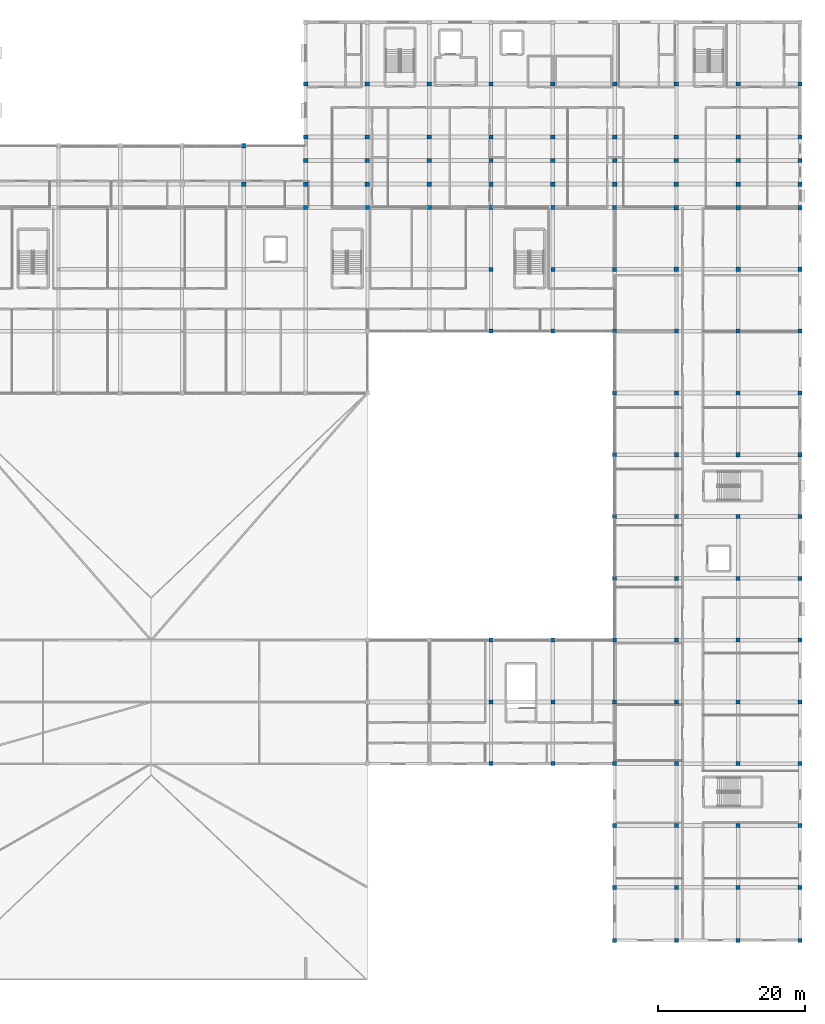
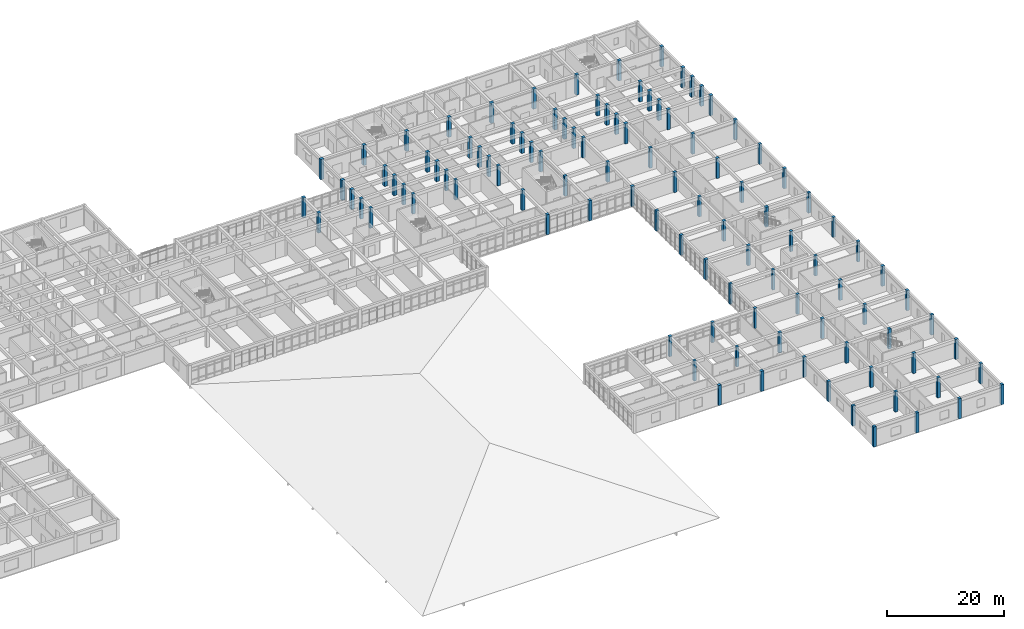
# One storey, part 5 of 77: 105 columns.
"""IFC4 building model written with IfcOpenShell, lengths in metres."""

from ifc_helpers import new_model, si_unit, direction, frame, origin, origin_2d, place, context, subcontext, project, spatial, rectangle, extrude, material, material_profile, profile_set, type_object, element, save


model = new_model("IFC4")

# Units and contexts
model_context = context("Model", 3, precision=1e-05, world=origin(), true_north=direction((0.0, 1.0)))
body_context = subcontext(model_context, "Body", "Model", "MODEL_VIEW")
ifc_project = project(units=[si_unit("LENGTHUNIT", "METRE"), si_unit("AREAUNIT", "SQUARE_METRE"), si_unit("VOLUMEUNIT", "CUBIC_METRE"), si_unit("PLANEANGLEUNIT", "RADIAN"), si_unit("MASSUNIT", "GRAM", prefix="KILO")], contexts=[model_context])

# Site, building, storey
site_placement = place(None, origin())
site = spatial("IfcSite", under=ifc_project, at=site_placement, CompositionType="ELEMENT")
building_placement = place(site_placement, origin())
building = spatial("IfcBuilding", under=site, at=building_placement, Name="Varncliffe General Hospital", CompositionType="ELEMENT")
storey_placement = place(building_placement, frame((0.0, 0.0, 16.199951171875)))
storey = spatial("IfcBuildingStorey", under=building, at=storey_placement, Name="L03", CompositionType="ELEMENT", Elevation=16.199951171875)

# Columns
ifc_material = material(Name="Concrete C40/50 (CSA A23.1 40 MPa)", Category="concrete")
ifc_material_profile_1 = material_profile(ifc_material, rectangle(XDim=0.550048828125, YDim=0.550048828125, at=origin_2d()), Name="RC 550x550")
ifc_profile_set_1 = profile_set([ifc_material_profile_1], Name="Concrete C40/50 (CSA A23.1 40 MPa)")
column_type_1 = type_object("IfcColumnType", Name="Column C26 (Ext RC 550x550)", PredefinedType="COLUMN", material=ifc_profile_set_1)
for number, where, z_axis, x_axis, name in (
    (1, (134.39990234375, 24.0, 0.0), (0.0, 0.0, 1.0), (1.0, 0.0, 0.0), "L03 Column C26"),
    (2, (134.39990234375, 40.800048828125, 0.0), (0.0, 0.0, 1.0), (1.0, 0.0, 0.0), "L03 Column C26"),
    (3, (134.39990234375, 82.800048828125, 0.0), (0.0, 0.0, 1.0), (1.0, 0.0, 0.0), "L03 Column C26"),
    (4, (142.800048828125, 24.0, 0.0), (0.0, 0.0, 1.0), (1.0, 0.0, 0.0), "L03 Column C26"),
    (5, (142.800048828125, 40.800048828125, 0.0), (0.0, 0.0, 1.0), (1.0, 0.0, 0.0), "L03 Column C26"),
    (6, (142.800048828125, 82.800048828125, 0.0), (0.0, 0.0, 1.0), (1.0, 0.0, 0.0), "L03 Column C26"),
    (7, (151.199951171875, 0.0, 0.0), (0.0, 0.0, 1.0), (1.0, 0.0, 0.0), "L03 Column C26"),
    (8, (151.199951171875, 7.199951171875, 0.0), (0.0, 0.0, 1.0), (1.0, 0.0, 0.0), "L03 Column C26"),
    (9, (151.199951171875, 15.60009765625, 0.0), (0.0, 0.0, 1.0), (1.0, 0.0, 0.0), "L03 Column C26"),
    (10, (151.199951171875, 24.0, 0.0), (0.0, 0.0, 1.0), (1.0, 0.0, 0.0), "L03 Column C26"),
    (11, (151.199951171875, 40.800048828125, 0.0), (0.0, 0.0, 1.0), (1.0, 0.0, 0.0), "L03 Column C26"),
    (12, (151.199951171875, 49.199951171875, 0.0), (0.0, 0.0, 1.0), (1.0, 0.0, 0.0), "L03 Column C26"),
    (13, (151.199951171875, 57.60009765625, 0.0), (0.0, 0.0, 1.0), (1.0, 0.0, 0.0), "L03 Column C26"),
    (14, (151.199951171875, 66.0, 0.0), (0.0, 0.0, 1.0), (1.0, 0.0, 0.0), "L03 Column C26"),
    (15, (151.199951171875, 74.39990234375, 0.0), (0.0, 0.0, 1.0), (1.0, 0.0, 0.0), "L03 Column C26"),
    (16, (151.199951171875, 82.800048828125, 0.0), (0.0, 0.0, 1.0), (1.0, 0.0, 0.0), "L03 Column C26"),
    (17, (159.60009765625, 0.0, 0.0), (0.0, 0.0, 1.0), (1.0, 0.0, 0.0), "L03 Column C26"),
    (18, (168.0, 0.0, 0.0), (0.0, 0.0, 1.0), (1.0, 0.0, 0.0), "L03 Column C26"),
    (19, (176.39990234375, 0.0, 0.0), (0.0, 0.0, 1.0), (1.0, 0.0, 0.0), "L03 Column C26"),
    (20, (176.39990234375, 7.199951171875, 0.0), (0.0, 0.0, 1.0), (1.0, 0.0, 0.0), "L03 Column C26"),
    (21, (176.39990234375, 15.60009765625, 0.0), (0.0, 0.0, 1.0), (1.0, 0.0, 0.0), "L03 Column C26"),
    (22, (176.39990234375, 24.0, 0.0), (0.0, 0.0, 1.0), (1.0, 0.0, 0.0), "L03 Column C26"),
    (23, (176.39990234375, 32.39990234375, 0.0), (0.0, 0.0, 1.0), (1.0, 0.0, 0.0), "L03 Column C26"),
    (24, (176.39990234375, 40.800048828125, 0.0), (0.0, 0.0, 1.0), (1.0, 0.0, 0.0), "L03 Column C26"),
    (25, (176.39990234375, 49.199951171875, 0.0), (0.0, 0.0, 1.0), (1.0, 0.0, 0.0), "L03 Column C26"),
    (26, (176.39990234375, 57.60009765625, 0.0), (0.0, 0.0, 1.0), (1.0, 0.0, 0.0), "L03 Column C26"),
    (27, (176.39990234375, 66.0, 0.0), (0.0, 0.0, 1.0), (1.0, 0.0, 0.0), "L03 Column C26"),
    (28, (176.39990234375, 74.39990234375, 0.0), (0.0, 0.0, 1.0), (1.0, 0.0, 0.0), "L03 Column C26"),
    (29, (176.39990234375, 82.800048828125, 0.0), (0.0, 0.0, 1.0), (1.0, 0.0, 0.0), "L03 Column C26"),
):
    element("IfcColumn", number, at=place(storey_placement, frame(where, z_axis=z_axis, x_axis=x_axis)), inside=storey, type_object=column_type_1, Name=name, PredefinedType="COLUMN", context=body_context, shape_type="SweptSolid", body=[
        extrude(rectangle(XDim=0.550048828125, YDim=0.550048828125, at=origin_2d()), origin(), (0.0, 0.0, 1.0), 4.199951171875),
    ])
ifc_material_profile_2 = material_profile(ifc_material, rectangle(XDim=0.60009765625, YDim=0.60009765625, at=origin_2d()), Name="RC 600x600")
ifc_profile_set_2 = profile_set([ifc_material_profile_2], Name="Concrete C40/50 (CSA A23.1 40 MPa)")
column_type_2 = type_object("IfcColumnType", Name="Column C27 (Ext RC 600x600)", PredefinedType="COLUMN", material=ifc_profile_set_2)
for number, where, z_axis, x_axis, name in (
    (30, (100.800048828125, 108.0, 0.0), (0.0, 0.0, 1.0), (1.0, 0.0, 0.0), "L03 Column C27"),
    (31, (109.199951171875, 109.199951171875, 0.0), (0.0, 0.0, 1.0), (1.0, 0.0, 0.0), "L03 Column C27"),
    (32, (109.199951171875, 116.39990234375, 0.0), (0.0, 0.0, 1.0), (1.0, 0.0, 0.0), "L03 Column C27"),
    (33, (176.39990234375, 91.199951171875, 0.0), (0.0, 0.0, 1.0), (1.0, 0.0, 0.0), "L03 Column C27"),
    (34, (176.39990234375, 99.60009765625, 0.0), (0.0, 0.0, 1.0), (1.0, 0.0, 0.0), "L03 Column C27"),
    (35, (176.39990234375, 102.800048828125, 0.0), (0.0, 0.0, 1.0), (1.0, 0.0, 0.0), "L03 Column C27"),
    (36, (176.39990234375, 106.0, 0.0), (0.0, 0.0, 1.0), (1.0, 0.0, 0.0), "L03 Column C27"),
    (37, (176.39990234375, 109.199951171875, 0.0), (0.0, 0.0, 1.0), (1.0, 0.0, 0.0), "L03 Column C27"),
    (38, (176.39990234375, 116.39990234375, 0.0), (0.0, 0.0, 1.0), (1.0, 0.0, 0.0), "L03 Column C27"),
):
    element("IfcColumn", number, at=place(storey_placement, frame(where, z_axis=z_axis, x_axis=x_axis)), inside=storey, type_object=column_type_2, Name=name, PredefinedType="COLUMN", context=body_context, shape_type="SweptSolid", body=[
        extrude(rectangle(XDim=0.60009765625, YDim=0.60009765625, at=origin_2d()), origin(), (0.0, 0.0, 1.0), 4.199951171875),
    ])
ifc_material_profile_3 = material_profile(ifc_material, rectangle(XDim=0.60009765625, YDim=0.60009765625, at=origin_2d()), Name="RC 600x600")
ifc_profile_set_3 = profile_set([ifc_material_profile_3], Name="Concrete C40/50 (CSA A23.1 40 MPa)")
column_type_3 = type_object("IfcColumnType", Name="Column C82 (Int RC 600x600)", PredefinedType="COLUMN", material=ifc_profile_set_3)
for number, where, z_axis, x_axis, name in (
    (39, (100.800048828125, 102.800048828125, 0.0), (0.0, 0.0, 1.0), (1.0, 0.0, 0.0), "L03 Column C82"),
    (40, (109.199951171875, 102.800048828125, 0.0), (0.0, 0.0, 1.0), (1.0, 0.0, 0.0), "L03 Column C82"),
    (41, (109.199951171875, 106.0, 0.0), (0.0, 0.0, 1.0), (1.0, 0.0, 0.0), "L03 Column C82"),
    (42, (117.60009765625, 102.800048828125, 0.0), (0.0, 0.0, 1.0), (1.0, 0.0, 0.0), "L03 Column C82"),
    (43, (117.60009765625, 106.0, 0.0), (0.0, 0.0, 1.0), (1.0, 0.0, 0.0), "L03 Column C82"),
    (44, (117.60009765625, 109.199951171875, 0.0), (0.0, 0.0, 1.0), (1.0, 0.0, 0.0), "L03 Column C82"),
    (45, (117.60009765625, 116.39990234375, 0.0), (0.0, 0.0, 1.0), (1.0, 0.0, 0.0), "L03 Column C82"),
    (46, (126.0, 102.800048828125, 0.0), (0.0, 0.0, 1.0), (1.0, 0.0, 0.0), "L03 Column C82"),
    (47, (126.0, 106.0, 0.0), (0.0, 0.0, 1.0), (1.0, 0.0, 0.0), "L03 Column C82"),
    (48, (126.0, 109.199951171875, 0.0), (0.0, 0.0, 1.0), (1.0, 0.0, 0.0), "L03 Column C82"),
    (49, (126.0, 116.39990234375, 0.0), (0.0, 0.0, 1.0), (1.0, 0.0, 0.0), "L03 Column C82"),
    (50, (134.39990234375, 102.800048828125, 0.0), (0.0, 0.0, 1.0), (1.0, 0.0, 0.0), "L03 Column C82"),
    (51, (134.39990234375, 106.0, 0.0), (0.0, 0.0, 1.0), (1.0, 0.0, 0.0), "L03 Column C82"),
    (52, (134.39990234375, 109.199951171875, 0.0), (0.0, 0.0, 1.0), (1.0, 0.0, 0.0), "L03 Column C82"),
    (53, (134.39990234375, 116.39990234375, 0.0), (0.0, 0.0, 1.0), (1.0, 0.0, 0.0), "L03 Column C82"),
    (54, (142.800048828125, 102.800048828125, 0.0), (0.0, 0.0, 1.0), (1.0, 0.0, 0.0), "L03 Column C82"),
    (55, (142.800048828125, 106.0, 0.0), (0.0, 0.0, 1.0), (1.0, 0.0, 0.0), "L03 Column C82"),
    (56, (142.800048828125, 109.199951171875, 0.0), (0.0, 0.0, 1.0), (1.0, 0.0, 0.0), "L03 Column C82"),
    (57, (142.800048828125, 116.39990234375, 0.0), (0.0, 0.0, 1.0), (1.0, 0.0, 0.0), "L03 Column C82"),
    (58, (151.199951171875, 102.800048828125, 0.0), (0.0, 0.0, 1.0), (1.0, 0.0, 0.0), "L03 Column C82"),
    (59, (151.199951171875, 106.0, 0.0), (0.0, 0.0, 1.0), (1.0, 0.0, 0.0), "L03 Column C82"),
    (60, (151.199951171875, 109.199951171875, 0.0), (0.0, 0.0, 1.0), (1.0, 0.0, 0.0), "L03 Column C82"),
    (61, (151.199951171875, 116.39990234375, 0.0), (0.0, 0.0, 1.0), (1.0, 0.0, 0.0), "L03 Column C82"),
    (62, (159.60009765625, 91.199951171875, 0.0), (0.0, 0.0, 1.0), (1.0, 0.0, 0.0), "L03 Column C82"),
    (63, (159.60009765625, 99.60009765625, 0.0), (0.0, 0.0, 1.0), (1.0, 0.0, 0.0), "L03 Column C82"),
    (64, (159.60009765625, 102.800048828125, 0.0), (0.0, 0.0, 1.0), (1.0, 0.0, 0.0), "L03 Column C82"),
    (65, (159.60009765625, 106.0, 0.0), (0.0, 0.0, 1.0), (1.0, 0.0, 0.0), "L03 Column C82"),
    (66, (159.60009765625, 109.199951171875, 0.0), (0.0, 0.0, 1.0), (1.0, 0.0, 0.0), "L03 Column C82"),
    (67, (159.60009765625, 116.39990234375, 0.0), (0.0, 0.0, 1.0), (1.0, 0.0, 0.0), "L03 Column C82"),
    (68, (168.0, 91.199951171875, 0.0), (0.0, 0.0, 1.0), (1.0, 0.0, 0.0), "L03 Column C82"),
    (69, (168.0, 99.60009765625, 0.0), (0.0, 0.0, 1.0), (1.0, 0.0, 0.0), "L03 Column C82"),
    (70, (168.0, 102.800048828125, 0.0), (0.0, 0.0, 1.0), (1.0, 0.0, 0.0), "L03 Column C82"),
    (71, (168.0, 106.0, 0.0), (0.0, 0.0, 1.0), (1.0, 0.0, 0.0), "L03 Column C82"),
    (72, (168.0, 109.199951171875, 0.0), (0.0, 0.0, 1.0), (1.0, 0.0, 0.0), "L03 Column C82"),
    (73, (168.0, 116.39990234375, 0.0), (0.0, 0.0, 1.0), (1.0, 0.0, 0.0), "L03 Column C82"),
):
    element("IfcColumn", number, at=place(storey_placement, frame(where, z_axis=z_axis, x_axis=x_axis)), inside=storey, type_object=column_type_3, Name=name, PredefinedType="COLUMN", context=body_context, shape_type="SweptSolid", body=[
        extrude(rectangle(XDim=0.60009765625, YDim=0.60009765625, at=origin_2d()), origin(), (0.0, 0.0, 1.0), 4.199951171875),
    ])
ifc_material_profile_4 = material_profile(ifc_material, rectangle(XDim=0.550048828125, YDim=0.550048828125, at=origin_2d()), Name="RC 550x550")
ifc_profile_set_4 = profile_set([ifc_material_profile_4], Name="Concrete C40/50 (CSA A23.1 40 MPa)")
column_type_4 = type_object("IfcColumnType", Name="Column C85 (Int RC 550x550)", PredefinedType="COLUMN", material=ifc_profile_set_4)
for number, where, z_axis, x_axis, name in (
    (74, (109.199951171875, 99.60009765625, 0.0), (0.0, 0.0, 1.0), (1.0, 0.0, 0.0), "L03 Column C85"),
    (75, (117.60009765625, 99.60009765625, 0.0), (0.0, 0.0, 1.0), (1.0, 0.0, 0.0), "L03 Column C85"),
    (76, (126.0, 99.60009765625, 0.0), (0.0, 0.0, 1.0), (1.0, 0.0, 0.0), "L03 Column C85"),
    (77, (134.39990234375, 32.39990234375, 0.0), (0.0, 0.0, 1.0), (1.0, 0.0, 0.0), "L03 Column C85"),
    (78, (134.39990234375, 91.199951171875, 0.0), (0.0, 0.0, 1.0), (1.0, 0.0, 0.0), "L03 Column C85"),
    (79, (134.39990234375, 99.60009765625, 0.0), (0.0, 0.0, 1.0), (1.0, 0.0, 0.0), "L03 Column C85"),
    (80, (142.800048828125, 32.39990234375, 0.0), (0.0, 0.0, 1.0), (1.0, 0.0, 0.0), "L03 Column C85"),
    (81, (142.800048828125, 91.199951171875, 0.0), (0.0, 0.0, 1.0), (1.0, 0.0, 0.0), "L03 Column C85"),
    (82, (142.800048828125, 99.60009765625, 0.0), (0.0, 0.0, 1.0), (1.0, 0.0, 0.0), "L03 Column C85"),
    (83, (151.199951171875, 32.39990234375, 0.0), (0.0, 0.0, 1.0), (1.0, 0.0, 0.0), "L03 Column C85"),
    (84, (151.199951171875, 91.199951171875, 0.0), (0.0, 0.0, 1.0), (1.0, 0.0, 0.0), "L03 Column C85"),
    (85, (151.199951171875, 99.60009765625, 0.0), (0.0, 0.0, 1.0), (1.0, 0.0, 0.0), "L03 Column C85"),
    (86, (159.60009765625, 7.199951171875, 0.0), (0.0, 0.0, 1.0), (1.0, 0.0, 0.0), "L03 Column C85"),
    (87, (159.60009765625, 15.60009765625, 0.0), (0.0, 0.0, 1.0), (1.0, 0.0, 0.0), "L03 Column C85"),
    (88, (159.60009765625, 24.0, 0.0), (0.0, 0.0, 1.0), (1.0, 0.0, 0.0), "L03 Column C85"),
    (89, (159.60009765625, 32.39990234375, 0.0), (0.0, 0.0, 1.0), (1.0, 0.0, 0.0), "L03 Column C85"),
    (90, (159.60009765625, 40.800048828125, 0.0), (0.0, 0.0, 1.0), (1.0, 0.0, 0.0), "L03 Column C85"),
    (91, (159.60009765625, 49.199951171875, 0.0), (0.0, 0.0, 1.0), (1.0, 0.0, 0.0), "L03 Column C85"),
    (92, (159.60009765625, 57.60009765625, 0.0), (0.0, 0.0, 1.0), (1.0, 0.0, 0.0), "L03 Column C85"),
    (93, (159.60009765625, 66.0, 0.0), (0.0, 0.0, 1.0), (1.0, 0.0, 0.0), "L03 Column C85"),
    (94, (159.60009765625, 74.39990234375, 0.0), (0.0, 0.0, 1.0), (1.0, 0.0, 0.0), "L03 Column C85"),
    (95, (159.60009765625, 82.800048828125, 0.0), (0.0, 0.0, 1.0), (1.0, 0.0, 0.0), "L03 Column C85"),
    (96, (168.0, 7.199951171875, 0.0), (0.0, 0.0, 1.0), (1.0, 0.0, 0.0), "L03 Column C85"),
    (97, (168.0, 15.60009765625, 0.0), (0.0, 0.0, 1.0), (1.0, 0.0, 0.0), "L03 Column C85"),
    (98, (168.0, 24.0, 0.0), (0.0, 0.0, 1.0), (1.0, 0.0, 0.0), "L03 Column C85"),
    (99, (168.0, 32.39990234375, 0.0), (0.0, 0.0, 1.0), (1.0, 0.0, 0.0), "L03 Column C85"),
    (100, (168.0, 40.800048828125, 0.0), (0.0, 0.0, 1.0), (1.0, 0.0, 0.0), "L03 Column C85"),
    (101, (168.0, 49.199951171875, 0.0), (0.0, 0.0, 1.0), (1.0, 0.0, 0.0), "L03 Column C85"),
    (102, (168.0, 57.60009765625, 0.0), (0.0, 0.0, 1.0), (1.0, 0.0, 0.0), "L03 Column C85"),
    (103, (168.0, 66.0, 0.0), (0.0, 0.0, 1.0), (1.0, 0.0, 0.0), "L03 Column C85"),
    (104, (168.0, 74.39990234375, 0.0), (0.0, 0.0, 1.0), (1.0, 0.0, 0.0), "L03 Column C85"),
    (105, (168.0, 82.800048828125, 0.0), (0.0, 0.0, 1.0), (1.0, 0.0, 0.0), "L03 Column C85"),
):
    element("IfcColumn", number, at=place(storey_placement, frame(where, z_axis=z_axis, x_axis=x_axis)), inside=storey, type_object=column_type_4, Name=name, PredefinedType="COLUMN", context=body_context, shape_type="SweptSolid", body=[
        extrude(rectangle(XDim=0.550048828125, YDim=0.550048828125, at=origin_2d()), origin(), (0.0, 0.0, 1.0), 4.199951171875),
    ])

save(model, "model.ifc")
